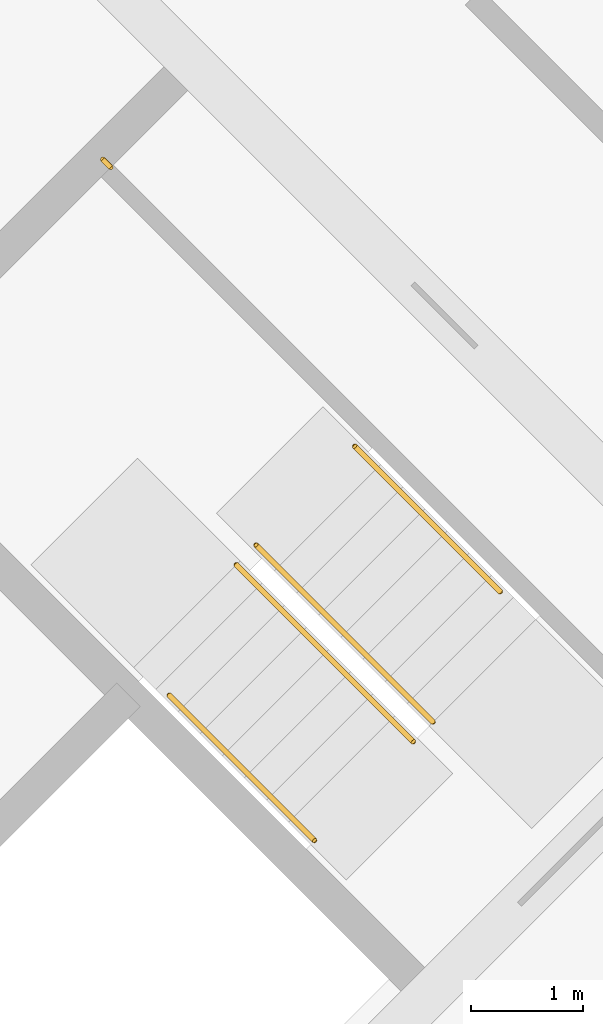
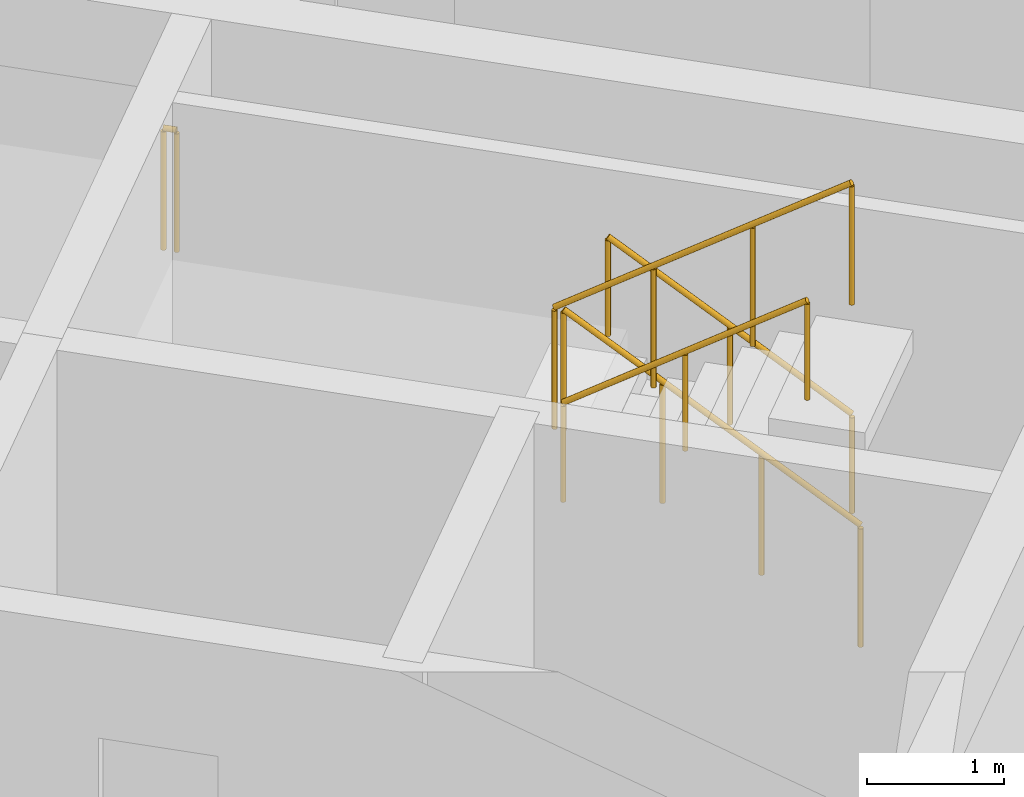
# One storey, part 12 of 12: 5 railings.
"""IFC4 building model written with IfcOpenShell, lengths in metres."""

from ifc_helpers import new_model, si_unit, direction, frame, origin, origin_2d, place, context, subcontext, project, spatial, circle, extrude, material, type_object, element, save


model = new_model("IFC4")

# Units and contexts
model_context = context("Model", 3, precision=1e-05, world=origin(), true_north=direction((0.0, 1.0)))
body_context = subcontext(model_context, "Body", "Model", "MODEL_VIEW")
ifc_project = project(units=[si_unit("LENGTHUNIT", "METRE"), si_unit("AREAUNIT", "SQUARE_METRE"), si_unit("VOLUMEUNIT", "CUBIC_METRE"), si_unit("PLANEANGLEUNIT", "RADIAN"), si_unit("MASSUNIT", "GRAM", prefix="KILO")], contexts=[model_context])

# Site, building, storey
site_placement = place(None, origin())
site = spatial("IfcSite", under=ifc_project, at=site_placement, CompositionType="ELEMENT")
building_placement = place(site_placement, origin())
building = spatial("IfcBuilding", under=site, at=building_placement, Name="Windrow Commons", CompositionType="ELEMENT")
storey_placement = place(building_placement, frame((0.0, 0.0, 254.0)))
storey = spatial("IfcBuildingStorey", under=building, at=storey_placement, Name="L69", CompositionType="ELEMENT", Elevation=254.0)

# Railings
ifc_material_1 = material(Name="Steel S355", Category="steel")
railing_type_1 = type_object("IfcRailingType", Name="Core stair guard 1100", PredefinedType="GUARDRAIL", material=ifc_material_1)
railing_1_placement = place(storey_placement, frame((94.2296, 48.4215, 0.1889)))
element("IfcRailing", 1, at=railing_1_placement, inside=storey, type_object=railing_type_1, Name="L69 ST-B2 stair guard 1", PredefinedType="GUARDRAIL", context=body_context, shape_type="SweptSolid", body=[
    extrude(circle(Radius=0.024, at=origin_2d()), frame((0.0, 0.0, 1.076), z_axis=(-0.5862157828, 0.5861787742, 0.5592365337), x_axis=(-0.7070844598, -0.7071291018, 0.0)), (0.0, 0.0, 1.0), 2.7021),
    extrude(circle(Radius=0.021, at=origin_2d()), origin(), (0.0, 0.0, 1.0), 1.052),
    extrude(circle(Radius=0.021, at=origin_2d()), frame((-0.528, 0.528, 0.5037)), (0.0, 0.0, 1.0), 1.052),
    extrude(circle(Radius=0.021, at=origin_2d()), frame((-1.056, 1.0559, 1.0074)), (0.0, 0.0, 1.0), 1.052),
    extrude(circle(Radius=0.021, at=origin_2d()), frame((-1.584, 1.5839, 1.5111)), (0.0, 0.0, 1.0), 1.052),
])
railing_2_placement = place(storey_placement, frame((92.4689, 49.8287, 1.8889)))
element("IfcRailing", 2, at=railing_2_placement, inside=storey, type_object=railing_type_1, Name="L69 ST-B2 stair guard 2", PredefinedType="GUARDRAIL", context=body_context, shape_type="SweptSolid", body=[
    extrude(circle(Radius=0.024, at=origin_2d()), frame((0.0, 0.0, 1.076), z_axis=(0.5861787742, -0.5862157828, 0.5592365337), x_axis=(0.7071291018, 0.7070844598, 0.0)), (0.0, 0.0, 1.0), 2.7021),
    extrude(circle(Radius=0.021, at=origin_2d()), origin(), (0.0, 0.0, 1.0), 1.052),
    extrude(circle(Radius=0.021, at=origin_2d()), frame((0.528, -0.528, 0.5037)), (0.0, 0.0, 1.0), 1.052),
    extrude(circle(Radius=0.021, at=origin_2d()), frame((1.0559, -1.056, 1.0074)), (0.0, 0.0, 1.0), 1.052),
    extrude(circle(Radius=0.021, at=origin_2d()), frame((1.5839, -1.584, 1.5111)), (0.0, 0.0, 1.0), 1.052),
])
railing_3_placement = place(storey_placement, frame((91.3446, 53.3854, 1.7)))
element("IfcRailing", 3, at=railing_3_placement, inside=storey, type_object=railing_type_1, Name="L69 ST-B2 stair guard 3", PredefinedType="GUARDRAIL", context=body_context, shape_type="SweptSolid", body=[
    extrude(circle(Radius=0.024, at=origin_2d()), frame((0.0, 0.0, 1.076), z_axis=(-0.7076063266, 0.7066068826, 0.0), x_axis=(-0.7066068826, -0.7076063266, 0.0)), (0.0, 0.0, 1.0), 0.1001),
    extrude(circle(Radius=0.021, at=origin_2d()), origin(), (0.0, 0.0, 1.0), 1.052),
    extrude(circle(Radius=0.021, at=origin_2d()), frame((-0.0708, 0.0707, 0.0)), (0.0, 0.0, 1.0), 1.052),
])
ifc_material_2 = material(Name="Steel S355", Category="steel")
railing_type_2 = type_object("IfcRailingType", Name="Core stair handrail 900", PredefinedType="HANDRAIL", material=ifc_material_2)
railing_4_placement = place(storey_placement, frame((94.8306, 49.5883, 0.4587)))
element("IfcRailing", 4, at=railing_4_placement, inside=storey, type_object=railing_type_2, Name="L69 ST-B2 stair handrail 1", PredefinedType="HANDRAIL", context=body_context, shape_type="SweptSolid", body=[
    extrude(circle(Radius=0.024, at=origin_2d()), frame((0.0, 0.0, 0.876), z_axis=(-0.586206706, 0.5861616513, 0.5592639952), x_axis=(-0.7070796062, -0.7071339551, 0.0)), (0.0, 0.0, 1.0), 2.2195),
    extrude(circle(Radius=0.021, at=origin_2d()), origin(), (0.0, 0.0, 1.0), 0.852),
    extrude(circle(Radius=0.021, at=origin_2d()), frame((-0.6506, 0.6505, 0.6206)), (0.0, 0.0, 1.0), 0.852),
    extrude(circle(Radius=0.021, at=origin_2d()), frame((-1.3011, 1.301, 1.2413)), (0.0, 0.0, 1.0), 0.852),
])
railing_5_placement = place(storey_placement, frame((91.8678, 48.6619, 2.1587)))
element("IfcRailing", 5, at=railing_5_placement, inside=storey, type_object=railing_type_2, Name="L69 ST-B2 stair handrail 2", PredefinedType="HANDRAIL", context=body_context, shape_type="SweptSolid", body=[
    extrude(circle(Radius=0.024, at=origin_2d()), frame((0.0, 0.0, 0.876), z_axis=(0.586206706, -0.5861616513, 0.5592639952), x_axis=(0.7070796062, 0.7071339551, 0.0)), (0.0, 0.0, 1.0), 2.2195),
    extrude(circle(Radius=0.021, at=origin_2d()), origin(), (0.0, 0.0, 1.0), 0.852),
    extrude(circle(Radius=0.021, at=origin_2d()), frame((0.6505, -0.6505, 0.6206)), (0.0, 0.0, 1.0), 0.852),
    extrude(circle(Radius=0.021, at=origin_2d()), frame((1.3011, -1.301, 1.2413)), (0.0, 0.0, 1.0), 0.852),
])

save(model, "model.ifc")
